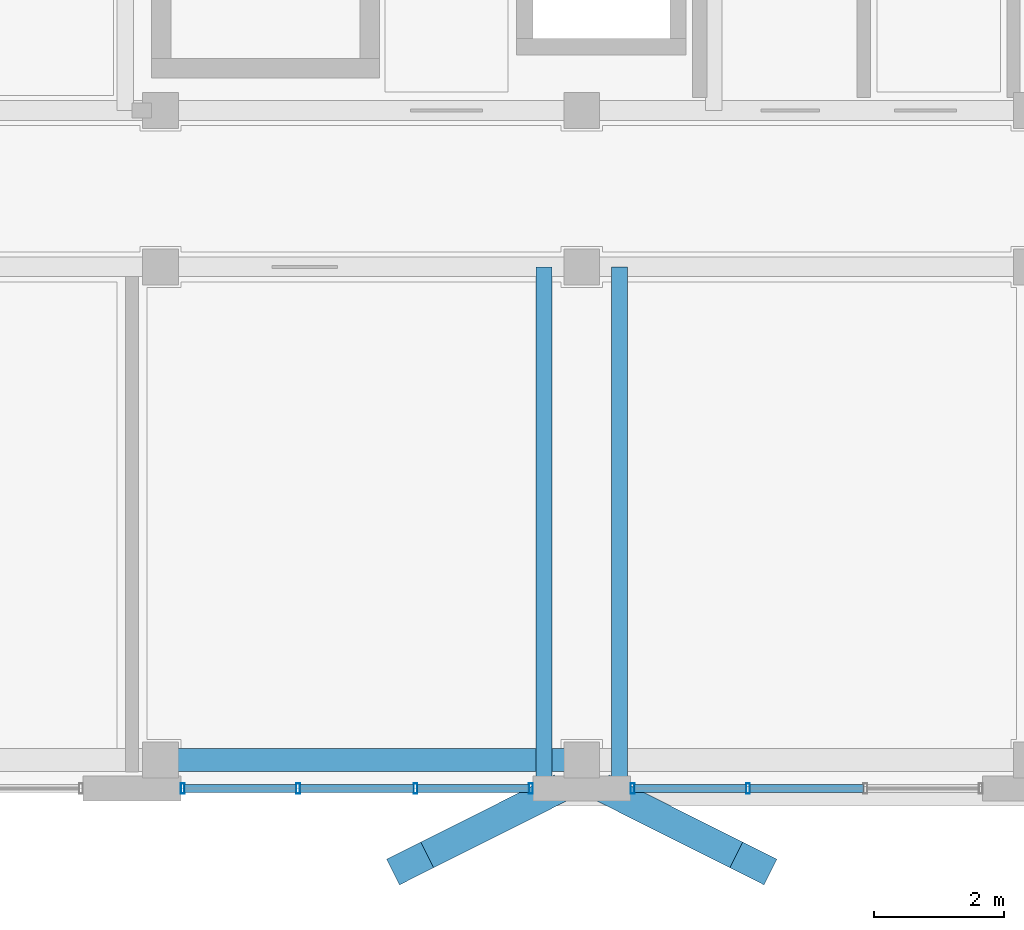
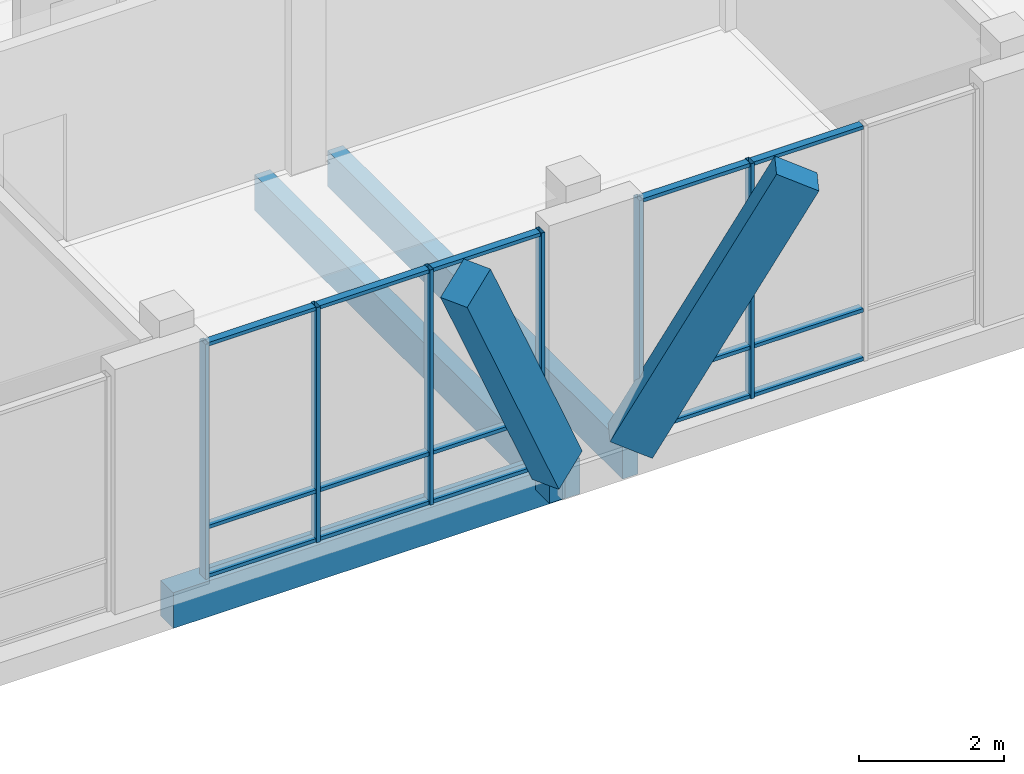
# One storey, part 135 of 233: 23 members, 3 beams, 2 elements without a shape of their own.
"""IFC4 building model written with IfcOpenShell, lengths in metres."""

from ifc_helpers import new_model, si_unit, direction, frame, origin, origin_2d, place, context, subcontext, project, spatial, rectangle, hollow_rectangle, extrude, material, material_profile, profile_set, type_object, element, aggregate, save


model = new_model("IFC4")

# Units and contexts
model_context = context("Model", 3, precision=1e-05, world=origin(), true_north=direction((0.0, 1.0)))
body_context = subcontext(model_context, "Body", "Model", "MODEL_VIEW")
ifc_project = project(units=[si_unit("LENGTHUNIT", "METRE"), si_unit("AREAUNIT", "SQUARE_METRE"), si_unit("VOLUMEUNIT", "CUBIC_METRE"), si_unit("PLANEANGLEUNIT", "RADIAN"), si_unit("MASSUNIT", "GRAM", prefix="KILO")], contexts=[model_context])

# Site, building, storey
site_placement = place(None, origin())
site = spatial("IfcSite", under=ifc_project, at=site_placement, CompositionType="ELEMENT")
building_placement = place(site_placement, origin())
building = spatial("IfcBuilding", under=site, at=building_placement, Name="Zavelmont Quarter", CompositionType="ELEMENT")
storey_placement = place(building_placement, origin())
storey = spatial("IfcBuildingStorey", under=building, at=storey_placement, Name="L00", CompositionType="ELEMENT", Elevation=0.0)

# Beams
ifc_material_1 = material(Name="Concrete C35/45", Category="concrete")
ifc_material_profile_1 = material_profile(ifc_material_1, rectangle(XDim=0.35009765625, YDim=0.60009765625, at=origin_2d()), Name="RC350X600")
ifc_profile_set_1 = profile_set([ifc_material_profile_1], Name="Concrete C35/45")
beam_type_1 = type_object("IfcBeamType", Name="BM01", PredefinedType="SPANDREL", material=ifc_profile_set_1)
beam_placement = place(storey_placement, frame((127.0400390625, 0.43994140625, -0.6201171875), z_axis=(1.0, 0.0, 0.0), x_axis=(0.0, 1.0, 0.0)))
element("IfcBeam", 1, at=beam_placement, inside=storey, type_object=beam_type_1, Name="L00 beam BM01 19/A to 20/A", PredefinedType="SPANDREL", context=body_context, shape_type="SweptSolid", body=[
    extrude(rectangle(XDim=0.35009765625, YDim=0.60009765625, at=origin_2d()), origin(), (0.0, 0.0, 1.0), 6.4599609375),
])
ifc_material_2 = material(Name="Concrete C40/50", Category="concrete")
ifc_material_profile_2 = material_profile(ifc_material_2, rectangle(XDim=0.25, YDim=0.60009765625, at=origin_2d()), Name="RC250X600")
ifc_profile_set_2 = profile_set([ifc_material_profile_2], Name="Concrete C40/50")
beam_type_2 = type_object("IfcBeamType", Name="BM18", PredefinedType="BEAM", material=ifc_profile_set_2)
for number, where, z_axis, x_axis, name in (
    (2, (132.919921875, 8.0, -0.300048828125), (0.0, -1.0, 0.0), (1.0, 0.0, 0.0), "L00 beam BM18 20/B to 20/A"),
    (3, (134.080078125, 8.0, -0.300048828125), (0.0, -1.0, 0.0), (1.0, 0.0, 0.0), "L00 beam BM18 20/B to 20/A"),
):
    element("IfcBeam", number, at=place(storey_placement, frame(where, z_axis=z_axis, x_axis=x_axis)), inside=storey, type_object=beam_type_2, Name=name, PredefinedType="BEAM", context=body_context, shape_type="SweptSolid", body=[
        extrude(rectangle(XDim=0.25, YDim=0.60009765625, at=origin_2d()), origin(), (0.0, 0.0, 1.0), 8.1201171875),
    ])

# Curtain wall, members
ifc_material_3 = material(Name="Thermally broken aluminium and double low-E safety glazing", Category="aluminium")
curtain_wall_type = type_object("IfcCurtainWallType", Name="CW-540X395", PredefinedType="NOTDEFINED", material=ifc_material_3)
curtain_wall_1_placement = place(storey_placement, origin())
curtain_wall_1 = element("IfcCurtainWall", 4, at=curtain_wall_1_placement, inside=storey, type_object=curtain_wall_type, Name="L00 unitised curtain wall CW-540X395", PredefinedType="NOTDEFINED")
ifc_material_4 = material(Name="Powder-coated aluminium EN AW-6063-T6", Category="aluminium")
ifc_material_profile_3 = material_profile(ifc_material_4, hollow_rectangle(XDim=0.06005859375, YDim=0.159912109375, WallThickness=0.00390625, at=origin_2d()), Name="CWM60X160")
ifc_profile_set_3 = profile_set([ifc_material_profile_3], Name="Powder-coated aluminium EN AW-6063-T6")
member_type_1 = type_object("IfcMemberType", Name="CWM01", PredefinedType="MULLION", material=ifc_profile_set_3)
member_1_placement = place(storey_placement, frame((127.3798828125, 0.0, 0.0), z_axis=(0.0, 0.0, 1.0), x_axis=(1.0, 0.0, 0.0)))
member_1 = element("IfcMember", 5, at=member_1_placement, type_object=member_type_1, Name="CW-540X395 mullion 1", PredefinedType="MULLION", context=body_context, shape_type="SweptSolid", body=[
    extrude(hollow_rectangle(XDim=0.06005859375, YDim=0.159912109375, WallThickness=0.00390625, at=origin_2d()), origin(), (0.0, 0.0, 1.0), 3.949951171875),
])
member_2_placement = place(storey_placement, frame((129.14990234375, 0.0, 0.0), z_axis=(0.0, 0.0, 1.0), x_axis=(1.0, 0.0, 0.0)))
member_2 = element("IfcMember", 6, at=member_2_placement, type_object=member_type_1, Name="CW-540X395 mullion 2", PredefinedType="MULLION", context=body_context, shape_type="SweptSolid", body=[
    extrude(hollow_rectangle(XDim=0.06005859375, YDim=0.159912109375, WallThickness=0.00390625, at=origin_2d()), origin(), (0.0, 0.0, 1.0), 3.949951171875),
])
member_3_placement = place(storey_placement, frame((130.949951171875, 0.0, 0.0), z_axis=(0.0, 0.0, 1.0), x_axis=(1.0, 0.0, 0.0)))
member_3 = element("IfcMember", 7, at=member_3_placement, type_object=member_type_1, Name="CW-540X395 mullion 3", PredefinedType="MULLION", context=body_context, shape_type="SweptSolid", body=[
    extrude(hollow_rectangle(XDim=0.06005859375, YDim=0.159912109375, WallThickness=0.00390625, at=origin_2d()), origin(), (0.0, 0.0, 1.0), 3.949951171875),
])
member_4_placement = place(storey_placement, frame((132.719970703125, 0.0, 0.0), z_axis=(0.0, 0.0, 1.0), x_axis=(1.0, 0.0, 0.0)))
member_4 = element("IfcMember", 8, at=member_4_placement, type_object=member_type_1, Name="CW-540X395 mullion 4", PredefinedType="MULLION", context=body_context, shape_type="SweptSolid", body=[
    extrude(hollow_rectangle(XDim=0.06005859375, YDim=0.159912109375, WallThickness=0.00390625, at=origin_2d()), origin(), (0.0, 0.0, 1.0), 3.949951171875),
])

curtain_wall_2_placement = place(storey_placement, origin())
curtain_wall_2 = element("IfcCurtainWall", 9, at=curtain_wall_2_placement, inside=storey, type_object=curtain_wall_type, Name="L00 unitised curtain wall CW-540X395", PredefinedType="NOTDEFINED")
member_5_placement = place(storey_placement, frame((134.280029296875, 0.0, 0.0), z_axis=(0.0, 0.0, 1.0), x_axis=(1.0, 0.0, 0.0)))
member_5 = element("IfcMember", 10, at=member_5_placement, type_object=member_type_1, Name="CW-540X395 mullion 1", PredefinedType="MULLION", context=body_context, shape_type="SweptSolid", body=[
    extrude(hollow_rectangle(XDim=0.06005859375, YDim=0.159912109375, WallThickness=0.00390625, at=origin_2d()), origin(), (0.0, 0.0, 1.0), 3.949951171875),
])
member_6_placement = place(storey_placement, frame((136.050048828125, 0.0, 0.0), z_axis=(0.0, 0.0, 1.0), x_axis=(1.0, 0.0, 0.0)))
member_6 = element("IfcMember", 11, at=member_6_placement, type_object=member_type_1, Name="CW-540X395 mullion 2", PredefinedType="MULLION", context=body_context, shape_type="SweptSolid", body=[
    extrude(hollow_rectangle(XDim=0.06005859375, YDim=0.159912109375, WallThickness=0.00390625, at=origin_2d()), origin(), (0.0, 0.0, 1.0), 3.949951171875),
])

# Member
ifc_material_profile_4 = material_profile(ifc_material_4, hollow_rectangle(XDim=0.1201171875, YDim=0.06005859375, WallThickness=0.00390625, at=origin_2d()), Name="CWT60X120")
ifc_profile_set_4 = profile_set([ifc_material_profile_4], Name="Powder-coated aluminium EN AW-6063-T6")
member_type_2 = type_object("IfcMemberType", Name="CWT01", PredefinedType="NOTDEFINED", material=ifc_profile_set_4)
member_7_placement = place(storey_placement, frame((127.409912109375, 0.0, 0.030029296875), z_axis=(1.0, 0.0, 0.0), x_axis=(0.0, 1.0, 0.0)))
member_7 = element("IfcMember", 12, at=member_7_placement, type_object=member_type_2, Name="CW-540X395 transom 1.1", ObjectType="TRANSOM", PredefinedType="USERDEFINED", context=body_context, shape_type="SweptSolid", body=[
    extrude(hollow_rectangle(XDim=0.1201171875, YDim=0.06005859375, WallThickness=0.00390625, at=origin_2d()), origin(), (0.0, 0.0, 1.0), 1.710205078125),
])

member_8_placement = place(storey_placement, frame((127.409912109375, 0.0, 0.85009765625), z_axis=(1.0, 0.0, 0.0), x_axis=(0.0, 1.0, 0.0)))
member_8 = element("IfcMember", 13, at=member_8_placement, type_object=member_type_2, Name="CW-540X395 transom 1.2", ObjectType="TRANSOM", PredefinedType="USERDEFINED", context=body_context, shape_type="SweptSolid", body=[
    extrude(hollow_rectangle(XDim=0.1201171875, YDim=0.06005859375, WallThickness=0.00390625, at=origin_2d()), origin(), (0.0, 0.0, 1.0), 1.710205078125),
])

member_9_placement = place(storey_placement, frame((127.409912109375, 0.0, 3.919921875), z_axis=(1.0, 0.0, 0.0), x_axis=(0.0, 1.0, 0.0)))
member_9 = element("IfcMember", 14, at=member_9_placement, type_object=member_type_2, Name="CW-540X395 transom 1.3", ObjectType="TRANSOM", PredefinedType="USERDEFINED", context=body_context, shape_type="SweptSolid", body=[
    extrude(hollow_rectangle(XDim=0.1201171875, YDim=0.06005859375, WallThickness=0.00390625, at=origin_2d()), origin(), (0.0, 0.0, 1.0), 1.710205078125),
])

member_10_placement = place(storey_placement, frame((129.179931640625, 0.0, 0.030029296875), z_axis=(1.0, 0.0, 0.0), x_axis=(0.0, 1.0, 0.0)))
member_10 = element("IfcMember", 15, at=member_10_placement, type_object=member_type_2, Name="CW-540X395 transom 2.1", ObjectType="TRANSOM", PredefinedType="USERDEFINED", context=body_context, shape_type="SweptSolid", body=[
    extrude(hollow_rectangle(XDim=0.1201171875, YDim=0.06005859375, WallThickness=0.00390625, at=origin_2d()), origin(), (0.0, 0.0, 1.0), 1.739990234375),
])

member_11_placement = place(storey_placement, frame((129.179931640625, 0.0, 0.85009765625), z_axis=(1.0, 0.0, 0.0), x_axis=(0.0, 1.0, 0.0)))
member_11 = element("IfcMember", 16, at=member_11_placement, type_object=member_type_2, Name="CW-540X395 transom 2.2", ObjectType="TRANSOM", PredefinedType="USERDEFINED", context=body_context, shape_type="SweptSolid", body=[
    extrude(hollow_rectangle(XDim=0.1201171875, YDim=0.06005859375, WallThickness=0.00390625, at=origin_2d()), origin(), (0.0, 0.0, 1.0), 1.739990234375),
])

member_12_placement = place(storey_placement, frame((129.179931640625, 0.0, 3.919921875), z_axis=(1.0, 0.0, 0.0), x_axis=(0.0, 1.0, 0.0)))
member_12 = element("IfcMember", 17, at=member_12_placement, type_object=member_type_2, Name="CW-540X395 transom 2.3", ObjectType="TRANSOM", PredefinedType="USERDEFINED", context=body_context, shape_type="SweptSolid", body=[
    extrude(hollow_rectangle(XDim=0.1201171875, YDim=0.06005859375, WallThickness=0.00390625, at=origin_2d()), origin(), (0.0, 0.0, 1.0), 1.739990234375),
])

member_13_placement = place(storey_placement, frame((130.97998046875, 0.0, 0.030029296875), z_axis=(1.0, 0.0, 0.0), x_axis=(0.0, 1.0, 0.0)))
member_13 = element("IfcMember", 18, at=member_13_placement, type_object=member_type_2, Name="CW-540X395 transom 3.1", ObjectType="TRANSOM", PredefinedType="USERDEFINED", context=body_context, shape_type="SweptSolid", body=[
    extrude(hollow_rectangle(XDim=0.1201171875, YDim=0.06005859375, WallThickness=0.00390625, at=origin_2d()), origin(), (0.0, 0.0, 1.0), 1.7099609375),
])

member_14_placement = place(storey_placement, frame((130.97998046875, 0.0, 0.85009765625), z_axis=(1.0, 0.0, 0.0), x_axis=(0.0, 1.0, 0.0)))
member_14 = element("IfcMember", 19, at=member_14_placement, type_object=member_type_2, Name="CW-540X395 transom 3.2", ObjectType="TRANSOM", PredefinedType="USERDEFINED", context=body_context, shape_type="SweptSolid", body=[
    extrude(hollow_rectangle(XDim=0.1201171875, YDim=0.06005859375, WallThickness=0.00390625, at=origin_2d()), origin(), (0.0, 0.0, 1.0), 1.7099609375),
])

member_15_placement = place(storey_placement, frame((130.97998046875, 0.0, 3.919921875), z_axis=(1.0, 0.0, 0.0), x_axis=(0.0, 1.0, 0.0)))
member_15 = element("IfcMember", 20, at=member_15_placement, type_object=member_type_2, Name="CW-540X395 transom 3.3", ObjectType="TRANSOM", PredefinedType="USERDEFINED", context=body_context, shape_type="SweptSolid", body=[
    extrude(hollow_rectangle(XDim=0.1201171875, YDim=0.06005859375, WallThickness=0.00390625, at=origin_2d()), origin(), (0.0, 0.0, 1.0), 1.7099609375),
])

aggregate(curtain_wall_1, [member_1, member_2, member_3, member_4, member_7, member_8, member_9, member_10, member_11, member_12, member_13, member_14, member_15])

member_16_placement = place(storey_placement, frame((134.31005859375, 0.0, 0.030029296875), z_axis=(1.0, 0.0, 0.0), x_axis=(0.0, 1.0, 0.0)))
member_16 = element("IfcMember", 21, at=member_16_placement, type_object=member_type_2, Name="CW-540X395 transom 1.1", ObjectType="TRANSOM", PredefinedType="USERDEFINED", context=body_context, shape_type="SweptSolid", body=[
    extrude(hollow_rectangle(XDim=0.1201171875, YDim=0.06005859375, WallThickness=0.00390625, at=origin_2d()), origin(), (0.0, 0.0, 1.0), 1.7099609375),
])

member_17_placement = place(storey_placement, frame((134.31005859375, 0.0, 0.85009765625), z_axis=(1.0, 0.0, 0.0), x_axis=(0.0, 1.0, 0.0)))
member_17 = element("IfcMember", 22, at=member_17_placement, type_object=member_type_2, Name="CW-540X395 transom 1.2", ObjectType="TRANSOM", PredefinedType="USERDEFINED", context=body_context, shape_type="SweptSolid", body=[
    extrude(hollow_rectangle(XDim=0.1201171875, YDim=0.06005859375, WallThickness=0.00390625, at=origin_2d()), origin(), (0.0, 0.0, 1.0), 1.7099609375),
])

member_18_placement = place(storey_placement, frame((134.31005859375, 0.0, 3.919921875), z_axis=(1.0, 0.0, 0.0), x_axis=(0.0, 1.0, 0.0)))
member_18 = element("IfcMember", 23, at=member_18_placement, type_object=member_type_2, Name="CW-540X395 transom 1.3", ObjectType="TRANSOM", PredefinedType="USERDEFINED", context=body_context, shape_type="SweptSolid", body=[
    extrude(hollow_rectangle(XDim=0.1201171875, YDim=0.06005859375, WallThickness=0.00390625, at=origin_2d()), origin(), (0.0, 0.0, 1.0), 1.7099609375),
])

member_19_placement = place(storey_placement, frame((136.080078125, 0.0, 0.030029296875), z_axis=(1.0, 0.0, 0.0), x_axis=(0.0, 1.0, 0.0)))
member_19 = element("IfcMember", 24, at=member_19_placement, type_object=member_type_2, Name="CW-540X395 transom 2.1", ObjectType="TRANSOM", PredefinedType="USERDEFINED", context=body_context, shape_type="SweptSolid", body=[
    extrude(hollow_rectangle(XDim=0.1201171875, YDim=0.06005859375, WallThickness=0.00390625, at=origin_2d()), origin(), (0.0, 0.0, 1.0), 1.739990234375),
])

member_20_placement = place(storey_placement, frame((136.080078125, 0.0, 0.85009765625), z_axis=(1.0, 0.0, 0.0), x_axis=(0.0, 1.0, 0.0)))
member_20 = element("IfcMember", 25, at=member_20_placement, type_object=member_type_2, Name="CW-540X395 transom 2.2", ObjectType="TRANSOM", PredefinedType="USERDEFINED", context=body_context, shape_type="SweptSolid", body=[
    extrude(hollow_rectangle(XDim=0.1201171875, YDim=0.06005859375, WallThickness=0.00390625, at=origin_2d()), origin(), (0.0, 0.0, 1.0), 1.739990234375),
])

member_21_placement = place(storey_placement, frame((136.080078125, 0.0, 3.919921875), z_axis=(1.0, 0.0, 0.0), x_axis=(0.0, 1.0, 0.0)))
member_21 = element("IfcMember", 26, at=member_21_placement, type_object=member_type_2, Name="CW-540X395 transom 2.3", ObjectType="TRANSOM", PredefinedType="USERDEFINED", context=body_context, shape_type="SweptSolid", body=[
    extrude(hollow_rectangle(XDim=0.1201171875, YDim=0.06005859375, WallThickness=0.00390625, at=origin_2d()), origin(), (0.0, 0.0, 1.0), 1.739990234375),
])

aggregate(curtain_wall_2, [member_5, member_6, member_16, member_17, member_18, member_19, member_20, member_21])

# Members
ifc_material_5 = material(Name="White architectural precast concrete C40/50", Category="concrete")
ifc_material_profile_5 = material_profile(ifc_material_5, rectangle(XDim=0.43994140625, YDim=0.659912109375, at=origin_2d()), Name="PCR320X480")
ifc_profile_set_5 = profile_set([ifc_material_profile_5], Name="White architectural precast concrete C40/50")
member_type_3 = type_object("IfcMemberType", Name="VR01M", PredefinedType="CHORD", material=ifc_profile_set_5)
for number, where, z_axis, x_axis, name in (
    (27, (132.919921875, -0.1201171875, 0.0), (-0.413550443654, -0.20748849427, 0.886523860536), (0.448446451272, -0.893809700295, 0.0), "L00 member VR01M 20/A to 20/A"),
    (28, (134.080078125, -0.1201171875, 0.0), (0.413550443654, -0.20748849427, 0.886523860536), (0.448446451272, 0.893809700295, 0.0), "L00 member VR01M 20/A to 20/A"),
):
    element("IfcMember", number, at=place(storey_placement, frame(where, z_axis=z_axis, x_axis=x_axis)), inside=storey, type_object=member_type_3, Name=name, PredefinedType="CHORD", context=body_context, shape_type="SweptSolid", body=[
        extrude(rectangle(XDim=0.43994140625, YDim=0.659912109375, at=origin_2d()), origin(), (0.0, 0.0, 1.0), 4.963134765625),
    ])

save(model, "model.ifc")
